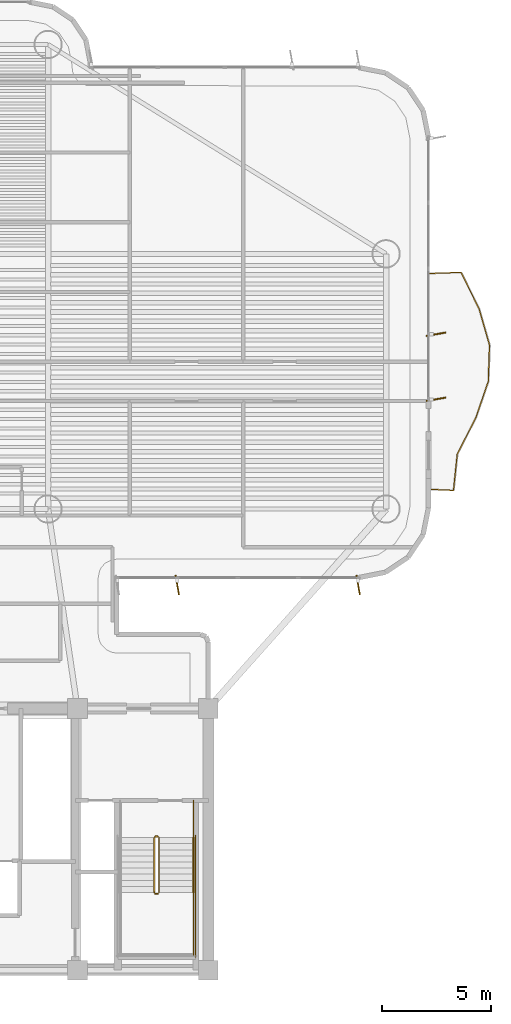
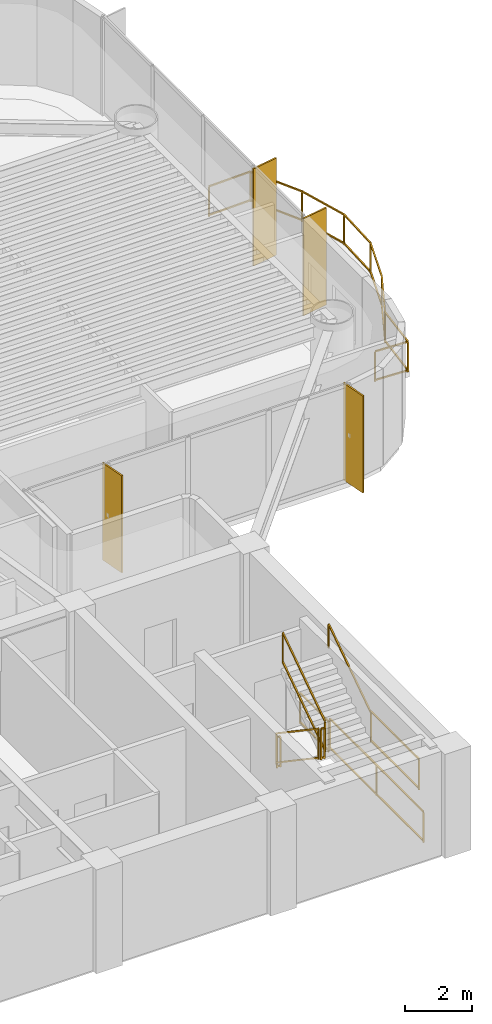
# One storey, part 15 of 16: 9 railings, 4 shading devices.
"""IFC4 building model written with IfcOpenShell, lengths in metres."""

from ifc_helpers import new_model, si_unit, direction, frame, origin, origin_2d, place, context, subcontext, project, spatial, rectangle, extrude, source, transform, mapped, material, layer, layer_set, material_profile, profile_set, type_object, element, save


model = new_model("IFC4")

# Units and contexts
model_context = context("Model", 3, precision=1e-05, world=origin(), true_north=direction((0.0, 1.0)))
body_context = subcontext(model_context, "Body", "Model", "MODEL_VIEW")
ifc_project = project(units=[si_unit("LENGTHUNIT", "METRE"), si_unit("AREAUNIT", "SQUARE_METRE"), si_unit("VOLUMEUNIT", "CUBIC_METRE"), si_unit("PLANEANGLEUNIT", "RADIAN"), si_unit("MASSUNIT", "GRAM", prefix="KILO")], contexts=[model_context])

# Site, building, storey
site_placement = place(None, origin())
site = spatial("IfcSite", under=ifc_project, at=site_placement, CompositionType="ELEMENT")
building_placement = place(site_placement, origin())
building = spatial("IfcBuilding", under=site, at=building_placement, Name="Brelvock Crest Care Tower", CompositionType="ELEMENT")
storey_placement = place(building_placement, frame((0.0, 0.0, 104.93994140625)))
storey = spatial("IfcBuildingStorey", under=building, at=storey_placement, Name="L26", CompositionType="ELEMENT", Elevation=104.93994140625)

# Railings
ifc_material_1 = material(Name="Dark Glass Double Glazed Low-E", Category="glass")
ifc_layer_1 = layer(ifc_material_1, 0.06005859375, Name="RL-BAL1")
ifc_layer_set_1 = layer_set([ifc_layer_1], Name="Dark Glass Double Glazed Low-E")
railing_type_1 = type_object("IfcRailingType", Name="RL-BAL1", PredefinedType="BALUSTRADE", material=ifc_layer_set_1)
railing_1_placement = place(storey_placement, frame((58.139892578125, 28.050048828125, 0.004150390625)))
element("IfcRailing", 1, at=railing_1_placement, inside=storey, type_object=railing_type_1, Name="L26 Safety Balustrade WB-E", PredefinedType="BALUSTRADE", context=body_context, shape_type="SweptSolid", body=[
    extrude(rectangle(XDim=0.048095703125, YDim=0.048095703125, at=origin_2d()), frame((0.001953125, 0.0, 1.09619140625), z_axis=(0.998966710972, -0.045447886318, 0.0), x_axis=(0.045447886318, 0.998966710972, 0.0)), (0.0, 0.0, 1.0), 1.09716796875),
    extrude(rectangle(XDim=0.048095703125, YDim=0.048095703125, at=origin_2d()), frame((0.001953125, 0.0, 0.054931640625), z_axis=(0.998966710972, -0.045447886318, 0.0), x_axis=(0.045447886318, 0.998966710972, 0.0)), (0.0, 0.0, 1.0), 1.09716796875),
    extrude(rectangle(XDim=0.048095703125, YDim=0.048095703125, at=origin_2d()), frame((1.100341796875, -0.048095703125, 1.09619140625), z_axis=(0.103729188721, 0.994605577808, 0.0), x_axis=(-0.994605577808, 0.103729188721, 0.0)), (0.0, 0.0, 1.0), 1.671875),
    extrude(rectangle(XDim=0.048095703125, YDim=0.048095703125, at=origin_2d()), frame((1.100341796875, -0.048095703125, 0.054931640625), z_axis=(0.103729188721, 0.994605577808, 0.0), x_axis=(-0.994605577808, 0.103729188721, 0.0)), (0.0, 0.0, 1.0), 1.671875),
    extrude(rectangle(XDim=0.048095703125, YDim=0.048095703125, at=origin_2d()), frame((1.27490234375, 1.618408203125, 1.09619140625), z_axis=(0.454816788854, 0.890585026023, 0.0), x_axis=(-0.890585026023, 0.454816788854, 0.0)), (0.0, 0.0, 1.0), 1.8671875),
    extrude(rectangle(XDim=0.048095703125, YDim=0.048095703125, at=origin_2d()), frame((1.27490234375, 1.618408203125, 0.054931640625), z_axis=(0.454816788854, 0.890585026023, 0.0), x_axis=(-0.890585026023, 0.454816788854, 0.0)), (0.0, 0.0, 1.0), 1.8671875),
    extrude(rectangle(XDim=0.048095703125, YDim=0.048095703125, at=origin_2d()), frame((2.125732421875, 3.28515625, 1.09619140625), z_axis=(0.324735154132, 0.945804990297, 0.0), x_axis=(-0.945804990297, 0.324735154132, 0.0)), (0.0, 0.0, 1.0), 1.75830078125),
    extrude(rectangle(XDim=0.048095703125, YDim=0.048095703125, at=origin_2d()), frame((2.125732421875, 3.28515625, 0.054931640625), z_axis=(0.324735154132, 0.945804990297, 0.0), x_axis=(-0.945804990297, 0.324735154132, 0.0)), (0.0, 0.0, 1.0), 1.75830078125),
    extrude(rectangle(XDim=0.048095703125, YDim=0.048095703125, at=origin_2d()), frame((2.697265625, 4.951904296875, 1.09619140625), z_axis=(0.034109333385, 0.999418107388, 0.0), x_axis=(-0.999418107388, 0.034109333385, 0.0)), (0.0, 0.0, 1.0), 1.663818359375),
    extrude(rectangle(XDim=0.048095703125, YDim=0.048095703125, at=origin_2d()), frame((2.697265625, 4.951904296875, 0.054931640625), z_axis=(0.034109333385, 0.999418107388, 0.0), x_axis=(-0.999418107388, 0.034109333385, 0.0)), (0.0, 0.0, 1.0), 1.663818359375),
    extrude(rectangle(XDim=0.048095703125, YDim=0.048095703125, at=origin_2d()), frame((2.753662109375, 6.61865234375, 1.09619140625), z_axis=(-0.277935062116, 0.960599865317, 0.0), x_axis=(-0.960599865317, -0.277935062116, 0.0)), (0.0, 0.0, 1.0), 1.73095703125),
    extrude(rectangle(XDim=0.048095703125, YDim=0.048095703125, at=origin_2d()), frame((2.753662109375, 6.61865234375, 0.054931640625), z_axis=(-0.277935062116, 0.960599865317, 0.0), x_axis=(-0.960599865317, -0.277935062116, 0.0)), (0.0, 0.0, 1.0), 1.73095703125),
    extrude(rectangle(XDim=0.048095703125, YDim=0.048095703125, at=origin_2d()), frame((2.27099609375, 8.284912109375, 1.09619140625), z_axis=(-0.442214310765, 0.896909417586, 0.0), x_axis=(-0.896909417586, -0.442214310765, 0.0)), (0.0, 0.0, 1.0), 1.854248046875),
    extrude(rectangle(XDim=0.048095703125, YDim=0.048095703125, at=origin_2d()), frame((2.27099609375, 8.284912109375, 0.054931640625), z_axis=(-0.442214310765, 0.896909417586, 0.0), x_axis=(-0.896909417586, -0.442214310765, 0.0)), (0.0, 0.0, 1.0), 1.854248046875),
    extrude(rectangle(XDim=0.048095703125, YDim=0.048095703125, at=origin_2d()), frame((1.4482421875, 9.949951171875, 1.09619140625), z_axis=(-0.999404999824, -0.034491249994, 0.0), x_axis=(0.034491249994, -0.999404999824, 0.0)), (0.0, 0.0, 1.0), 1.447021484375),
    extrude(rectangle(XDim=0.048095703125, YDim=0.048095703125, at=origin_2d()), frame((1.4482421875, 9.949951171875, 0.054931640625), z_axis=(-0.999404999824, -0.034491249994, 0.0), x_axis=(0.034491249994, -0.999404999824, 0.0)), (0.0, 0.0, 1.0), 1.447021484375),
    extrude(rectangle(XDim=0.0419921875, YDim=0.0419921875, at=origin_2d()), origin(), (0.0, 0.0, 1.0), 1.070068359375),
    extrude(rectangle(XDim=0.0419921875, YDim=0.0419921875, at=origin_2d()), frame((1.10009765625, -0.050048828125, 0.0)), (0.0, 0.0, 1.0), 1.070068359375),
    extrude(rectangle(XDim=0.0419921875, YDim=0.0419921875, at=origin_2d()), frame((1.27392578125, 1.61669921875, 0.0)), (0.0, 0.0, 1.0), 1.070068359375),
    extrude(rectangle(XDim=0.0419921875, YDim=0.0419921875, at=origin_2d()), frame((2.125, 3.283203125, 0.0)), (0.0, 0.0, 1.0), 1.070068359375),
    extrude(rectangle(XDim=0.0419921875, YDim=0.0419921875, at=origin_2d()), frame((2.697265625, 4.949951171875, 0.0)), (0.0, 0.0, 1.0), 1.070068359375),
    extrude(rectangle(XDim=0.0419921875, YDim=0.0419921875, at=origin_2d()), frame((2.754150390625, 6.61669921875, 0.0)), (0.0, 0.0, 1.0), 1.070068359375),
    extrude(rectangle(XDim=0.0419921875, YDim=0.0419921875, at=origin_2d()), frame((2.27197265625, 8.283203125, 0.0)), (0.0, 0.0, 1.0), 1.070068359375),
    extrude(rectangle(XDim=0.0419921875, YDim=0.0419921875, at=origin_2d()), frame((1.4501953125, 9.949951171875, 0.0)), (0.0, 0.0, 1.0), 1.070068359375),
    extrude(rectangle(XDim=0.0419921875, YDim=0.0419921875, at=origin_2d()), frame((0.0, 9.89990234375, 0.0)), (0.0, 0.0, 1.0), 1.070068359375),
])
ifc_material_2 = material(Name="Steel Grade 350", Category="steel")
ifc_layer_2 = layer(ifc_material_2, 0.050048828125, Name="RL-STG1")
ifc_layer_set_2 = layer_set([ifc_layer_2], Name="Steel Grade 350")
railing_type_2 = type_object("IfcRailingType", Name="RL-STG1", PredefinedType="GUARDRAIL", material=ifc_layer_set_2)
railing_2_placement = place(storey_placement, frame((45.52001953125, 12.080078125, 0.18896484375)))
element("IfcRailing", 2, at=railing_2_placement, inside=storey, type_object=railing_type_2, Name="L26 ST-2 stair guard 1", PredefinedType="GUARDRAIL", context=body_context, shape_type="SweptSolid", body=[
    extrude(rectangle(XDim=0.048095703125, YDim=0.048095703125, at=origin_2d()), frame((0.0, -0.001708984375, 1.116943359375), z_axis=(0.0, -0.82882447046, 0.559508710537), x_axis=(1.0, 0.0, 0.0)), (0.0, 0.0, 1.0), 3.036376953125),
    extrude(rectangle(XDim=0.048095703125, YDim=0.048095703125, at=origin_2d()), frame((0.0, -0.001708984375, 0.05615234375), z_axis=(0.0, -0.82882447046, 0.559508710537), x_axis=(1.0, 0.0, 0.0)), (0.0, 0.0, 1.0), 3.036376953125),
    extrude(rectangle(XDim=0.0419921875, YDim=0.0419921875, at=origin_2d()), origin(), (0.0, 0.0, 1.0), 1.08984375),
    extrude(rectangle(XDim=0.0419921875, YDim=0.0419921875, at=origin_2d()), frame((0.0, -2.52001953125, 1.701171875)), (0.0, 0.0, 1.0), 1.08984375),
])
railing_3_placement = place(storey_placement, frame((45.570068359375, 9.510009765625, 1.89013671875)))
element("IfcRailing", 3, at=railing_3_placement, inside=storey, type_object=railing_type_2, Name="L26 ST-2 stair guard 2", PredefinedType="GUARDRAIL", context=body_context, shape_type="SweptSolid", body=[
    extrude(rectangle(XDim=0.048095703125, YDim=0.048095703125, at=origin_2d()), frame((0.001953125, 0.0, 1.11572265625), z_axis=(1.0, 0.0, 0.0), x_axis=(0.0, 1.0, 0.0)), (0.0, 0.0, 1.0), 0.115966796875),
    extrude(rectangle(XDim=0.048095703125, YDim=0.048095703125, at=origin_2d()), frame((0.001953125, 0.0, 0.054931640625), z_axis=(1.0, 0.0, 0.0), x_axis=(0.0, 1.0, 0.0)), (0.0, 0.0, 1.0), 0.115966796875),
    extrude(rectangle(XDim=0.0419921875, YDim=0.0419921875, at=origin_2d()), origin(), (0.0, 0.0, 1.0), 1.08984375),
    extrude(rectangle(XDim=0.0419921875, YDim=0.0419921875, at=origin_2d()), frame((0.119873046875, 0.0, 0.0)), (0.0, 0.0, 1.0), 1.08984375),
])
railing_4_placement = place(storey_placement, frame((47.320068359375, 9.56005859375, 1.89013671875)))
element("IfcRailing", 4, at=railing_4_placement, inside=storey, type_object=railing_type_2, Name="L26 ST-2 stair guard 4", PredefinedType="GUARDRAIL", context=body_context, shape_type="SweptSolid", body=[
    extrude(rectangle(XDim=0.048095703125, YDim=0.048095703125, at=origin_2d()), frame((0.0, -0.001953125, 1.11572265625), z_axis=(0.0, -1.0, 0.0), x_axis=(1.0, 0.0, 0.0)), (0.0, 0.0, 1.0), 2.856201171875),
    extrude(rectangle(XDim=0.048095703125, YDim=0.048095703125, at=origin_2d()), frame((0.0, -0.001953125, 0.054931640625), z_axis=(0.0, -1.0, 0.0), x_axis=(1.0, 0.0, 0.0)), (0.0, 0.0, 1.0), 2.856201171875),
    extrude(rectangle(XDim=0.0419921875, YDim=0.0419921875, at=origin_2d()), origin(), (0.0, 0.0, 1.0), 1.08984375),
    extrude(rectangle(XDim=0.0419921875, YDim=0.0419921875, at=origin_2d()), frame((0.0, -2.860107421875, 0.0)), (0.0, 0.0, 1.0), 1.08984375),
])
railing_5_placement = place(storey_placement, frame((45.739990234375, 9.56005859375, 2.0791015625)))
element("IfcRailing", 5, at=railing_5_placement, inside=storey, type_object=railing_type_2, Name="L26 ST-2 stair guard 6", PredefinedType="GUARDRAIL", context=body_context, shape_type="SweptSolid", body=[
    extrude(rectangle(XDim=0.048095703125, YDim=0.048095703125, at=origin_2d()), frame((0.0, 0.001708984375, 1.116943359375), z_axis=(0.0, 0.828861706735, 0.559453546873), x_axis=(-1.0, 0.0, 0.0)), (0.0, 0.0, 1.0), 3.036376953125),
    extrude(rectangle(XDim=0.048095703125, YDim=0.048095703125, at=origin_2d()), frame((0.0, 0.001708984375, 0.05615234375), z_axis=(0.0, 0.828861706735, 0.559453546873), x_axis=(-1.0, 0.0, 0.0)), (0.0, 0.0, 1.0), 3.036376953125),
    extrude(rectangle(XDim=0.0419921875, YDim=0.0419921875, at=origin_2d()), origin(), (0.0, 0.0, 1.0), 1.08984375),
    extrude(rectangle(XDim=0.0419921875, YDim=0.0419921875, at=origin_2d()), frame((0.0, 2.52001953125, 1.700927734375)), (0.0, 0.0, 1.0), 1.08984375),
])
railing_6_placement = place(storey_placement, frame((45.570068359375, 12.1298828125, 0.0)))
element("IfcRailing", 6, at=railing_6_placement, inside=storey, type_object=railing_type_2, Name="L26 ST-2 stair guard 7", PredefinedType="GUARDRAIL", context=body_context, shape_type="SweptSolid", body=[
    extrude(rectangle(XDim=0.048095703125, YDim=0.048095703125, at=origin_2d()), frame((0.001953125, 0.0, 1.11572265625), z_axis=(1.0, 0.0, 0.0), x_axis=(0.0, 1.0, 0.0)), (0.0, 0.0, 1.0), 0.115966796875),
    extrude(rectangle(XDim=0.048095703125, YDim=0.048095703125, at=origin_2d()), frame((0.001953125, 0.0, 0.054931640625), z_axis=(1.0, 0.0, 0.0), x_axis=(0.0, 1.0, 0.0)), (0.0, 0.0, 1.0), 0.115966796875),
    extrude(rectangle(XDim=0.0419921875, YDim=0.0419921875, at=origin_2d()), origin(), (0.0, 0.0, 1.0), 1.08984375),
    extrude(rectangle(XDim=0.0419921875, YDim=0.0419921875, at=origin_2d()), frame((0.119873046875, 0.0, 0.0)), (0.0, 0.0, 1.0), 1.08984375),
])
railing_7_placement = place(storey_placement, frame((47.320068359375, 13.780029296875, 0.0)))
element("IfcRailing", 7, at=railing_7_placement, inside=storey, type_object=railing_type_2, Name="L26 ST-2 stair guard 9", PredefinedType="GUARDRAIL", context=body_context, shape_type="SweptSolid", body=[
    extrude(rectangle(XDim=0.048095703125, YDim=0.048095703125, at=origin_2d()), frame((0.0, -0.001953125, 1.11572265625), z_axis=(0.0, -1.0, 0.0), x_axis=(1.0, 0.0, 0.0)), (0.0, 0.0, 1.0), 1.696044921875),
    extrude(rectangle(XDim=0.048095703125, YDim=0.048095703125, at=origin_2d()), frame((0.0, -0.001953125, 0.054931640625), z_axis=(0.0, -1.0, 0.0), x_axis=(1.0, 0.0, 0.0)), (0.0, 0.0, 1.0), 1.696044921875),
    extrude(rectangle(XDim=0.0419921875, YDim=0.0419921875, at=origin_2d()), origin(), (0.0, 0.0, 1.0), 1.08984375),
    extrude(rectangle(XDim=0.0419921875, YDim=0.0419921875, at=origin_2d()), frame((0.0, -1.699951171875, 0.0)), (0.0, 0.0, 1.0), 1.08984375),
])
railing_8_placement = place(storey_placement, frame((47.419921875, 12.179931640625, 0.0)))
element("IfcRailing", 8, at=railing_8_placement, inside=storey, type_object=railing_type_2, Name="L26 ST-2 stair guard 11", PredefinedType="GUARDRAIL", context=body_context, shape_type="SweptSolid", body=[
    extrude(rectangle(XDim=0.048095703125, YDim=0.048095703125, at=origin_2d()), frame((0.0, -0.001953125, 1.11572265625), z_axis=(0.0, -1.0, 0.0), x_axis=(1.0, 0.0, 0.0)), (0.0, 0.0, 1.0), 5.575927734375),
    extrude(rectangle(XDim=0.048095703125, YDim=0.048095703125, at=origin_2d()), frame((0.0, -0.001953125, 0.054931640625), z_axis=(0.0, -1.0, 0.0), x_axis=(1.0, 0.0, 0.0)), (0.0, 0.0, 1.0), 5.575927734375),
    extrude(rectangle(XDim=0.0419921875, YDim=0.0419921875, at=origin_2d()), origin(), (0.0, 0.0, 1.0), 1.08984375),
    extrude(rectangle(XDim=0.0419921875, YDim=0.0419921875, at=origin_2d()), frame((0.0, -2.7900390625, 0.0)), (0.0, 0.0, 1.0), 1.08984375),
    extrude(rectangle(XDim=0.0419921875, YDim=0.0419921875, at=origin_2d()), frame((0.0, -5.579833984375, 0.0)), (0.0, 0.0, 1.0), 1.08984375),
])
ifc_layer_3 = layer(ifc_material_2, 0.048095703125, Name="RL-STH1")
ifc_layer_set_3 = layer_set([ifc_layer_3], Name="Steel Grade 350")
railing_type_3 = type_object("IfcRailingType", Name="RL-STH1", PredefinedType="HANDRAIL", material=ifc_layer_set_3)
railing_9_placement = place(storey_placement, frame((47.320068359375, 9.56005859375, 2.0791015625)))
element("IfcRailing", 9, at=railing_9_placement, inside=storey, type_object=railing_type_3, Name="L26 ST-2 stair handrail 2", PredefinedType="HANDRAIL", context=body_context, shape_type="SweptSolid", body=[
    extrude(rectangle(XDim=0.048095703125, YDim=0.048095703125, at=origin_2d()), frame((0.0, 0.001708984375, 0.876953125), z_axis=(0.0, 0.828861706735, 0.559453546873), x_axis=(-1.0, 0.0, 0.0)), (0.0, 0.0, 1.0), 3.036376953125),
    extrude(rectangle(XDim=0.0419921875, YDim=0.0419921875, at=origin_2d()), origin(), (0.0, 0.0, 1.0), 0.849853515625),
    extrude(rectangle(XDim=0.0419921875, YDim=0.0419921875, at=origin_2d()), frame((0.0, 2.52001953125, 1.700927734375)), (0.0, 0.0, 1.0), 0.849853515625),
])

# Shading devices
ifc_material_3 = material(Name="Aluminium 6063-T6", Category="aluminium")
ifc_material_profile = material_profile(ifc_material_3, rectangle(XDim=0.054931640625, YDim=0.89990234375, at=origin_2d()), Name="FIN55x900")
ifc_profile_set = profile_set([ifc_material_profile], Name="Aluminium 6063-T6")
shading_device_type = type_object("IfcShadingDeviceType", Name="SHD-FIN1", PredefinedType="USERDEFINED", material=ifc_profile_set)
shared_shape = source(origin(), body_context, "Body", "SweptSolid", [
    extrude(rectangle(XDim=0.054931640625, YDim=0.89990234375, at=origin_2d()), origin(), (0.0, 0.0, 1.0), 3.530029296875),
])
for number, where, z_axis, x_axis, name in (
    (10, (58.43994140625, 35.16259765625, 0.0), (0.0, 0.0, 1.0), (0.173648177667, -0.984807753012, 0.0), "L26 Vertical Sunshade Fin E39A-04"),
    (11, (58.43994140625, 32.179931640625, 0.0), (0.0, 0.0, 1.0), (0.173648177667, -0.984807753012, 0.0), "L26 Vertical Sunshade Fin E39A-05"),
    (12, (54.8701171875, 23.659912109375, 0.0), (0.0, 0.0, 1.0), (-0.984807753012, -0.173648177667, 0.0), "L26 Vertical Sunshade Fin E44-01"),
    (13, (46.574951171875, 23.659912109375, 0.0), (0.0, 0.0, 1.0), (-0.984807753012, -0.173648177667, 0.0), "L26 Vertical Sunshade Fin E44-04"),
):
    element("IfcShadingDevice", number, at=place(storey_placement, frame(where, z_axis=z_axis, x_axis=x_axis)), inside=storey, type_object=shading_device_type, Name=name, ObjectType="FIN", PredefinedType="USERDEFINED", context=body_context, shape_type="MappedRepresentation", body=[
        mapped(shared_shape, transform((0.0, 0.0, 0.0), x_axis=(1.0, 0.0, 0.0), y_axis=(0.0, 1.0, 0.0), z_axis=(0.0, 0.0, 1.0), scale=1.0)),
    ])

save(model, "model.ifc")
